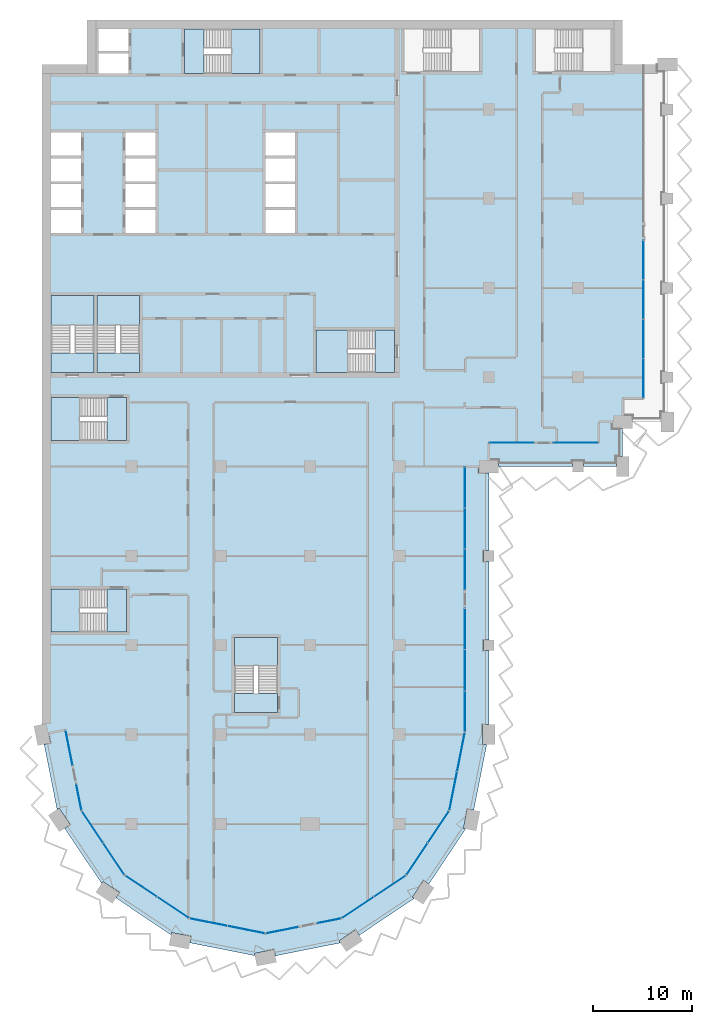
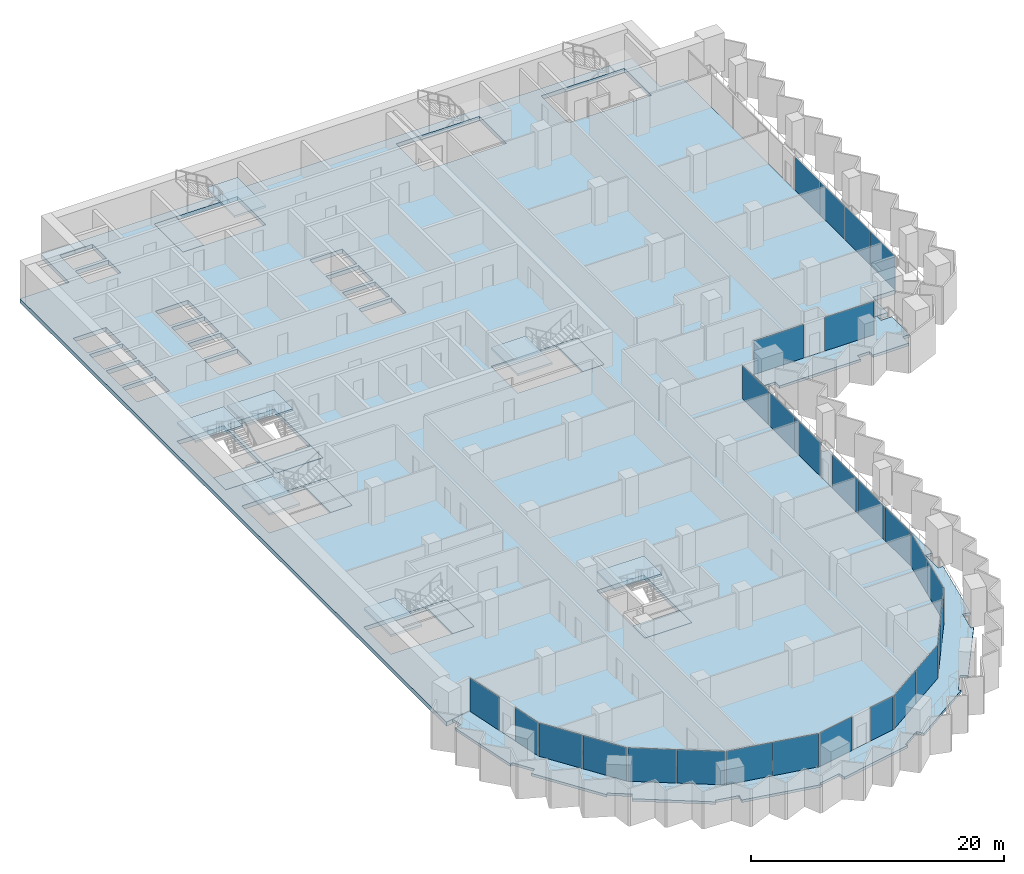
# One storey, part 6 of 22: 28 plates, 17 slabs, 22 elements without a shape of their own.
"""IFC4 building model written with IfcOpenShell, lengths in metres."""

from ifc_helpers import new_model, si_unit, direction, frame, origin, origin_2d, place, context, subcontext, project, spatial, polyline, rectangle, outline, extrude, material, layer, layer_set, type_object, element, aggregate, save


model = new_model("IFC4")

# Units and contexts
model_context = context("Model", 3, precision=1e-05, world=origin(), true_north=direction((0.0, 1.0)))
body_context = subcontext(model_context, "Body", "Model", "MODEL_VIEW")
ifc_project = project(units=[si_unit("LENGTHUNIT", "METRE"), si_unit("AREAUNIT", "SQUARE_METRE"), si_unit("VOLUMEUNIT", "CUBIC_METRE"), si_unit("PLANEANGLEUNIT", "RADIAN"), si_unit("MASSUNIT", "GRAM", prefix="KILO")], contexts=[model_context])

# Site, building, storey
site_placement = place(None, origin())
site = spatial("IfcSite", under=ifc_project, at=site_placement, CompositionType="ELEMENT")
building_placement = place(site_placement, origin())
building = spatial("IfcBuilding", under=site, at=building_placement, Name="Hunhe Ridgeline Campus", CompositionType="ELEMENT")
storey_placement = place(building_placement, frame((0.0, 0.0, 133.800048828125)))
storey = spatial("IfcBuildingStorey", under=building, at=storey_placement, Name="L33", CompositionType="ELEMENT", Elevation=133.800048828125)

# Curtain wall, plate
ifc_material_1 = material(Name="Aluminium 6063", Category="aluminium")
curtain_wall_type_1 = type_object("IfcCurtainWallType", Name="Curtain wall CW-5", PredefinedType="NOTDEFINED", material=ifc_material_1)
curtain_wall_1_placement = place(storey_placement, origin())
curtain_wall_1 = element("IfcCurtainWall", 1, at=curtain_wall_1_placement, inside=storey, type_object=curtain_wall_type_1, Name="Curtain wall 01", PredefinedType="NOTDEFINED")
ifc_material_2 = material(Name="Low-e laminated glass", Category="glass")
ifc_layer_1 = layer(ifc_material_2, 0.028076171875)
ifc_layer_set_1 = layer_set([ifc_layer_1], Name="Curtain wall glass panel 28 low-e laminated")
plate_type = type_object("IfcPlateType", Name="Curtain wall glass panel 28 low-e laminated", PredefinedType="CURTAIN_PANEL", material=ifc_layer_set_1)
plate_1_placement = place(storey_placement, frame((2.7158203125, 25.65380859375, 0.0), z_axis=(0.0, 0.0, 1.0), x_axis=(0.195095326561, -0.980784284924, 0.0)))
plate_1 = element("IfcPlate", 2, at=plate_1_placement, type_object=plate_type, Name="CW-5 panel 1", PredefinedType="CURTAIN_PANEL", context=body_context, shape_type="SweptSolid", body=[
    extrude(rectangle(XDim=3.560791015625, YDim=0.028076171875, at=origin_2d()), origin(), (0.0, 0.0, 1.0), 3.22998046875),
])
aggregate(curtain_wall_1, [plate_1])

curtain_wall_2_placement = place(storey_placement, origin())
curtain_wall_2 = element("IfcCurtainWall", 3, at=curtain_wall_2_placement, inside=storey, type_object=curtain_wall_type_1, Name="Curtain wall 02", PredefinedType="NOTDEFINED")
plate_2_placement = place(storey_placement, frame((3.701171875, 20.699951171875, 0.0), z_axis=(0.0, 0.0, 1.0), x_axis=(0.195095265587, -0.980784297053, 0.0)))
plate_2 = element("IfcPlate", 4, at=plate_2_placement, type_object=plate_type, Name="CW-5 panel 1", PredefinedType="CURTAIN_PANEL", context=body_context, shape_type="SweptSolid", body=[
    extrude(rectangle(XDim=2.660888671875, YDim=0.028076171875, at=origin_2d()), origin(), (0.0, 0.0, 1.0), 3.22998046875),
])
aggregate(curtain_wall_2, [plate_2])

# Curtain wall, plates
curtain_wall_3_placement = place(storey_placement, origin())
curtain_wall_3 = element("IfcCurtainWall", 5, at=curtain_wall_3_placement, inside=storey, type_object=curtain_wall_type_1, Name="Curtain wall 03", PredefinedType="NOTDEFINED")
plate_3_placement = place(storey_placement, frame((5.07080078125, 17.685546875, 0.0), z_axis=(0.0, 0.0, 1.0), x_axis=(0.555570274596, -0.831469584522, 0.0)))
plate_3 = element("IfcPlate", 6, at=plate_3_placement, type_object=plate_type, Name="CW-5 panel 1", PredefinedType="CURTAIN_PANEL", context=body_context, shape_type="SweptSolid", body=[
    extrude(rectangle(XDim=3.806884765625, YDim=0.028076171875, at=origin_2d()), origin(), (0.0, 0.0, 1.0), 3.22998046875),
])
plate_4_placement = place(storey_placement, frame((7.224609375, 14.4619140625, 0.0), z_axis=(0.0, 0.0, 1.0), x_axis=(0.555570274596, -0.831469584522, 0.0)))
plate_4 = element("IfcPlate", 7, at=plate_4_placement, type_object=plate_type, Name="CW-5 panel 2", PredefinedType="CURTAIN_PANEL", context=body_context, shape_type="SweptSolid", body=[
    extrude(rectangle(XDim=3.806884765625, YDim=0.028076171875, at=origin_2d()), origin(), (0.0, 0.0, 1.0), 3.22998046875),
])
aggregate(curtain_wall_3, [plate_3, plate_4])

curtain_wall_4_placement = place(storey_placement, origin())
curtain_wall_4 = element("IfcCurtainWall", 8, at=curtain_wall_4_placement, inside=storey, type_object=curtain_wall_type_1, Name="Curtain wall 04", PredefinedType="NOTDEFINED")
plate_5_placement = place(storey_placement, frame((9.9619140625, 11.724609375, 0.0), z_axis=(0.0, 0.0, 1.0), x_axis=(0.831469584522, -0.555570274596, 0.0)))
plate_5 = element("IfcPlate", 9, at=plate_5_placement, type_object=plate_type, Name="CW-5 panel 1", PredefinedType="CURTAIN_PANEL", context=body_context, shape_type="SweptSolid", body=[
    extrude(rectangle(XDim=3.806884765625, YDim=0.028076171875, at=origin_2d()), origin(), (0.0, 0.0, 1.0), 3.22998046875),
])
plate_6_placement = place(storey_placement, frame((13.185546875, 9.57080078125, 0.0), z_axis=(0.0, 0.0, 1.0), x_axis=(0.831469584522, -0.555570274596, 0.0)))
plate_6 = element("IfcPlate", 10, at=plate_6_placement, type_object=plate_type, Name="CW-5 panel 2", PredefinedType="CURTAIN_PANEL", context=body_context, shape_type="SweptSolid", body=[
    extrude(rectangle(XDim=3.806884765625, YDim=0.028076171875, at=origin_2d()), origin(), (0.0, 0.0, 1.0), 3.22998046875),
])
aggregate(curtain_wall_4, [plate_5, plate_6])

curtain_wall_5_placement = place(storey_placement, origin())
curtain_wall_5 = element("IfcCurtainWall", 11, at=curtain_wall_5_placement, inside=storey, type_object=curtain_wall_type_1, Name="Curtain wall 05", PredefinedType="NOTDEFINED")
plate_7_placement = place(storey_placement, frame((16.761962890625, 8.08935546875, 0.0), z_axis=(0.0, 0.0, 1.0), x_axis=(0.980785275326, -0.195090347539, 0.0)))
plate_7 = element("IfcPlate", 12, at=plate_7_placement, type_object=plate_type, Name="CW-5 panel 1", PredefinedType="CURTAIN_PANEL", context=body_context, shape_type="SweptSolid", body=[
    extrude(rectangle(XDim=3.806884765625, YDim=0.028076171875, at=origin_2d()), origin(), (0.0, 0.0, 1.0), 3.22998046875),
])
plate_8_placement = place(storey_placement, frame((20.564453125, 7.3330078125, 0.0), z_axis=(0.0, 0.0, 1.0), x_axis=(0.980785275326, -0.195090347539, 0.0)))
plate_8 = element("IfcPlate", 13, at=plate_8_placement, type_object=plate_type, Name="CW-5 panel 2", PredefinedType="CURTAIN_PANEL", context=body_context, shape_type="SweptSolid", body=[
    extrude(rectangle(XDim=3.806884765625, YDim=0.028076171875, at=origin_2d()), origin(), (0.0, 0.0, 1.0), 3.22998046875),
])
aggregate(curtain_wall_5, [plate_7, plate_8])

# Curtain wall, plate
curtain_wall_6_placement = place(storey_placement, origin())
curtain_wall_6 = element("IfcCurtainWall", 14, at=curtain_wall_6_placement, inside=storey, type_object=curtain_wall_type_1, Name="Curtain wall 06", PredefinedType="NOTDEFINED")
plate_9_placement = place(storey_placement, frame((24.19775390625, 7.28564453125, 0.0), z_axis=(0.0, 0.0, 1.0), x_axis=(0.980785270791, 0.19509037034, 0.0)))
plate_9 = element("IfcPlate", 15, at=plate_9_placement, type_object=plate_type, Name="CW-5 panel 1", PredefinedType="CURTAIN_PANEL", context=body_context, shape_type="SweptSolid", body=[
    extrude(rectangle(XDim=3.322021484375, YDim=0.028076171875, at=origin_2d()), origin(), (0.0, 0.0, 1.0), 3.22998046875),
])
aggregate(curtain_wall_6, [plate_9])

curtain_wall_7_placement = place(storey_placement, origin())
curtain_wall_7 = element("IfcCurtainWall", 16, at=curtain_wall_7_placement, inside=storey, type_object=curtain_wall_type_1, Name="Curtain wall 07", PredefinedType="NOTDEFINED")
plate_10_placement = place(storey_placement, frame((28.917236328125, 8.224609375, 0.0), z_axis=(0.0, 0.0, 1.0), x_axis=(0.980785242091, 0.195090514627, 0.0)))
plate_10 = element("IfcPlate", 17, at=plate_10_placement, type_object=plate_type, Name="CW-5 panel 1", PredefinedType="CURTAIN_PANEL", context=body_context, shape_type="SweptSolid", body=[
    extrude(rectangle(XDim=2.421875, YDim=0.028076171875, at=origin_2d()), origin(), (0.0, 0.0, 1.0), 3.22998046875),
])
aggregate(curtain_wall_7, [plate_10])

# Curtain wall, plates
curtain_wall_8_placement = place(storey_placement, origin())
curtain_wall_8 = element("IfcCurtainWall", 18, at=curtain_wall_8_placement, inside=storey, type_object=curtain_wall_type_1, Name="Curtain wall 08", PredefinedType="NOTDEFINED")
plate_11_placement = place(storey_placement, frame((31.814453125, 9.57080078125, 0.0), z_axis=(0.0, 0.0, 1.0), x_axis=(0.831469584522, 0.555570274596, 0.0)))
plate_11 = element("IfcPlate", 19, at=plate_11_placement, type_object=plate_type, Name="CW-5 panel 1", PredefinedType="CURTAIN_PANEL", context=body_context, shape_type="SweptSolid", body=[
    extrude(rectangle(XDim=3.806884765625, YDim=0.028076171875, at=origin_2d()), origin(), (0.0, 0.0, 1.0), 3.22998046875),
])
plate_12_placement = place(storey_placement, frame((35.0380859375, 11.724609375, 0.0), z_axis=(0.0, 0.0, 1.0), x_axis=(0.831469584522, 0.555570274596, 0.0)))
plate_12 = element("IfcPlate", 20, at=plate_12_placement, type_object=plate_type, Name="CW-5 panel 2", PredefinedType="CURTAIN_PANEL", context=body_context, shape_type="SweptSolid", body=[
    extrude(rectangle(XDim=3.806884765625, YDim=0.028076171875, at=origin_2d()), origin(), (0.0, 0.0, 1.0), 3.22998046875),
])
aggregate(curtain_wall_8, [plate_11, plate_12])

curtain_wall_9_placement = place(storey_placement, origin())
curtain_wall_9 = element("IfcCurtainWall", 21, at=curtain_wall_9_placement, inside=storey, type_object=curtain_wall_type_1, Name="Curtain wall 09", PredefinedType="NOTDEFINED")
plate_13_placement = place(storey_placement, frame((37.775390625, 14.4619140625, 0.0), z_axis=(0.0, 0.0, 1.0), x_axis=(0.555570274596, 0.831469584522, 0.0)))
plate_13 = element("IfcPlate", 22, at=plate_13_placement, type_object=plate_type, Name="CW-5 panel 1", PredefinedType="CURTAIN_PANEL", context=body_context, shape_type="SweptSolid", body=[
    extrude(rectangle(XDim=3.806884765625, YDim=0.028076171875, at=origin_2d()), origin(), (0.0, 0.0, 1.0), 3.22998046875),
])
plate_14_placement = place(storey_placement, frame((39.92919921875, 17.685546875, 0.0), z_axis=(0.0, 0.0, 1.0), x_axis=(0.555570274596, 0.831469584522, 0.0)))
plate_14 = element("IfcPlate", 23, at=plate_14_placement, type_object=plate_type, Name="CW-5 panel 2", PredefinedType="CURTAIN_PANEL", context=body_context, shape_type="SweptSolid", body=[
    extrude(rectangle(XDim=3.806884765625, YDim=0.028076171875, at=origin_2d()), origin(), (0.0, 0.0, 1.0), 3.22998046875),
])
aggregate(curtain_wall_9, [plate_13, plate_14])

curtain_wall_10_placement = place(storey_placement, origin())
curtain_wall_10 = element("IfcCurtainWall", 24, at=curtain_wall_10_placement, inside=storey, type_object=curtain_wall_type_1, Name="Curtain wall 10", PredefinedType="NOTDEFINED")
plate_15_placement = place(storey_placement, frame((41.42236328125, 21.321044921875, 0.0), z_axis=(0.0, 0.0, 1.0), x_axis=(0.195090299215, 0.980785284939, 0.0)))
plate_15 = element("IfcPlate", 25, at=plate_15_placement, type_object=plate_type, Name="CW-5 panel 1", PredefinedType="CURTAIN_PANEL", context=body_context, shape_type="SweptSolid", body=[
    extrude(rectangle(XDim=3.927490234375, YDim=0.028076171875, at=origin_2d()), origin(), (0.0, 0.0, 1.0), 3.22998046875),
])
plate_16_placement = place(storey_placement, frame((42.2021484375, 25.24169921875, 0.0), z_axis=(0.0, 0.0, 1.0), x_axis=(0.195090299215, 0.980785284939, 0.0)))
plate_16 = element("IfcPlate", 26, at=plate_16_placement, type_object=plate_type, Name="CW-5 panel 2", PredefinedType="CURTAIN_PANEL", context=body_context, shape_type="SweptSolid", body=[
    extrude(rectangle(XDim=3.927490234375, YDim=0.028076171875, at=origin_2d()), origin(), (0.0, 0.0, 1.0), 3.22998046875),
])
aggregate(curtain_wall_10, [plate_15, plate_16])

curtain_wall_type_2 = type_object("IfcCurtainWallType", Name="Curtain wall CW-1", PredefinedType="NOTDEFINED", material=ifc_material_1)
curtain_wall_11_placement = place(storey_placement, origin())
curtain_wall_11 = element("IfcCurtainWall", 27, at=curtain_wall_11_placement, inside=storey, type_object=curtain_wall_type_2, Name="Curtain wall 11", PredefinedType="NOTDEFINED")
plate_17_placement = place(storey_placement, frame((42.59912109375, 29.331787109375, 0.0), z_axis=(0.0, 0.0, 1.0), x_axis=(4.406345e-06, 0.99999999999, 0.0)))
plate_17 = element("IfcPlate", 28, at=plate_17_placement, type_object=plate_type, Name="CW-1 panel 1", PredefinedType="CURTAIN_PANEL", context=body_context, shape_type="SweptSolid", body=[
    extrude(rectangle(XDim=4.070556640625, YDim=0.028076171875, at=origin_2d()), origin(), (0.0, 0.0, 1.0), 3.239990234375),
])
plate_18_placement = place(storey_placement, frame((42.59912109375, 33.4775390625, 0.0), z_axis=(0.0, 0.0, 1.0), x_axis=(4.406345e-06, 0.99999999999, 0.0)))
plate_18 = element("IfcPlate", 29, at=plate_18_placement, type_object=plate_type, Name="CW-1 panel 2", PredefinedType="CURTAIN_PANEL", context=body_context, shape_type="SweptSolid", body=[
    extrude(rectangle(XDim=4.1005859375, YDim=0.028076171875, at=origin_2d()), origin(), (0.0, 0.0, 1.0), 3.239990234375),
])
plate_19_placement = place(storey_placement, frame((42.59912109375, 37.623046875, 0.0), z_axis=(0.0, 0.0, 1.0), x_axis=(4.406345e-06, 0.99999999999, 0.0)))
plate_19 = element("IfcPlate", 30, at=plate_19_placement, type_object=plate_type, Name="CW-1 panel 3", PredefinedType="CURTAIN_PANEL", context=body_context, shape_type="SweptSolid", body=[
    extrude(rectangle(XDim=4.070556640625, YDim=0.028076171875, at=origin_2d()), origin(), (0.0, 0.0, 1.0), 3.239990234375),
])
aggregate(curtain_wall_11, [plate_17, plate_18, plate_19])

curtain_wall_12_placement = place(storey_placement, origin())
curtain_wall_12 = element("IfcCurtainWall", 31, at=curtain_wall_12_placement, inside=storey, type_object=curtain_wall_type_2, Name="Curtain wall 12", PredefinedType="NOTDEFINED")
plate_20_placement = place(storey_placement, frame((42.59912109375, 43.61376953125, 0.0), z_axis=(0.0, 0.0, 1.0), x_axis=(4.406345e-06, 0.99999999999, 0.0)))
plate_20 = element("IfcPlate", 32, at=plate_20_placement, type_object=plate_type, Name="CW-1 panel 1", PredefinedType="CURTAIN_PANEL", context=body_context, shape_type="SweptSolid", body=[
    extrude(rectangle(XDim=4.070556640625, YDim=0.028076171875, at=origin_2d()), origin(), (0.0, 0.0, 1.0), 3.239990234375),
])
plate_21_placement = place(storey_placement, frame((42.59912109375, 47.759521484375, 0.0), z_axis=(0.0, 0.0, 1.0), x_axis=(4.406345e-06, 0.99999999999, 0.0)))
plate_21 = element("IfcPlate", 33, at=plate_21_placement, type_object=plate_type, Name="CW-1 panel 2", PredefinedType="CURTAIN_PANEL", context=body_context, shape_type="SweptSolid", body=[
    extrude(rectangle(XDim=4.1005859375, YDim=0.028076171875, at=origin_2d()), origin(), (0.0, 0.0, 1.0), 3.239990234375),
])
plate_22_placement = place(storey_placement, frame((42.59912109375, 51.905029296875, 0.0), z_axis=(0.0, 0.0, 1.0), x_axis=(4.406345e-06, 0.99999999999, 0.0)))
plate_22 = element("IfcPlate", 34, at=plate_22_placement, type_object=plate_type, Name="CW-1 panel 3", PredefinedType="CURTAIN_PANEL", context=body_context, shape_type="SweptSolid", body=[
    extrude(rectangle(XDim=4.070556640625, YDim=0.028076171875, at=origin_2d()), origin(), (0.0, 0.0, 1.0), 3.239990234375),
])
aggregate(curtain_wall_12, [plate_20, plate_21, plate_22])

# Curtain wall, plate
curtain_wall_13_placement = place(storey_placement, origin())
curtain_wall_13 = element("IfcCurtainWall", 35, at=curtain_wall_13_placement, inside=storey, type_object=curtain_wall_type_2, Name="Curtain wall 13", PredefinedType="NOTDEFINED")
plate_23_placement = place(storey_placement, frame((47.32470703125, 56.40087890625, 0.0), z_axis=(0.0, 0.0, 1.0), x_axis=(0.999999999999, 1.72058e-06, 0.0)))
plate_23 = element("IfcPlate", 36, at=plate_23_placement, type_object=plate_type, Name="CW-1 panel 1", PredefinedType="CURTAIN_PANEL", context=body_context, shape_type="SweptSolid", body=[
    extrude(rectangle(XDim=4.529541015625, YDim=0.028076171875, at=origin_2d()), origin(), (0.0, 0.0, 1.0), 3.239990234375),
])
aggregate(curtain_wall_13, [plate_23])

curtain_wall_14_placement = place(storey_placement, origin())
curtain_wall_14 = element("IfcCurtainWall", 37, at=curtain_wall_14_placement, inside=storey, type_object=curtain_wall_type_2, Name="Curtain wall 14", PredefinedType="NOTDEFINED")
plate_24_placement = place(storey_placement, frame((53.774169921875, 56.40087890625, 0.0), z_axis=(0.0, 0.0, 1.0), x_axis=(0.999999999999, 1.72058e-06, 0.0)))
plate_24 = element("IfcPlate", 38, at=plate_24_placement, type_object=plate_type, Name="CW-1 panel 1", PredefinedType="CURTAIN_PANEL", context=body_context, shape_type="SweptSolid", body=[
    extrude(rectangle(XDim=4.529541015625, YDim=0.028076171875, at=origin_2d()), origin(), (0.0, 0.0, 1.0), 3.239990234375),
])
aggregate(curtain_wall_14, [plate_24])

# Curtain wall, plates
curtain_wall_15_placement = place(storey_placement, origin())
curtain_wall_15 = element("IfcCurtainWall", 39, at=curtain_wall_15_placement, inside=storey, type_object=curtain_wall_type_2, Name="Curtain wall 15", PredefinedType="NOTDEFINED")
plate_25_placement = place(storey_placement, frame((60.59912109375, 62.9033203125, 0.0), z_axis=(0.0, 0.0, 1.0), x_axis=(0.0, 1.0, 0.0)))
plate_25 = element("IfcPlate", 40, at=plate_25_placement, type_object=plate_type, Name="CW-1 panel 1", PredefinedType="CURTAIN_PANEL", context=body_context, shape_type="SweptSolid", body=[
    extrude(rectangle(XDim=3.884765625, YDim=0.028076171875, at=origin_2d()), origin(), (0.0, 0.0, 1.0), 3.239990234375),
])
plate_26_placement = place(storey_placement, frame((60.59912109375, 66.86328125, 0.0), z_axis=(0.0, 0.0, 1.0), x_axis=(0.0, 1.0, 0.0)))
plate_26 = element("IfcPlate", 41, at=plate_26_placement, type_object=plate_type, Name="CW-1 panel 2", PredefinedType="CURTAIN_PANEL", context=body_context, shape_type="SweptSolid", body=[
    extrude(rectangle(XDim=3.914794921875, YDim=0.028076171875, at=origin_2d()), origin(), (0.0, 0.0, 1.0), 3.239990234375),
])
plate_27_placement = place(storey_placement, frame((60.59912109375, 70.838134765625, 0.0), z_axis=(0.0, 0.0, 1.0), x_axis=(0.0, 1.0, 0.0)))
plate_27 = element("IfcPlate", 42, at=plate_27_placement, type_object=plate_type, Name="CW-1 panel 3", PredefinedType="CURTAIN_PANEL", context=body_context, shape_type="SweptSolid", body=[
    extrude(rectangle(XDim=3.914794921875, YDim=0.028076171875, at=origin_2d()), origin(), (0.0, 0.0, 1.0), 3.239990234375),
])
plate_28_placement = place(storey_placement, frame((60.59912109375, 74.798095703125, 0.0), z_axis=(0.0, 0.0, 1.0), x_axis=(0.0, 1.0, 0.0)))
plate_28 = element("IfcPlate", 43, at=plate_28_placement, type_object=plate_type, Name="CW-1 panel 4", PredefinedType="CURTAIN_PANEL", context=body_context, shape_type="SweptSolid", body=[
    extrude(rectangle(XDim=3.884765625, YDim=0.028076171875, at=origin_2d()), origin(), (0.0, 0.0, 1.0), 3.239990234375),
])
aggregate(curtain_wall_15, [plate_25, plate_26, plate_27, plate_28])

# Slabs
ifc_material_3 = material(Name="Concrete C40", Category="concrete")
ifc_layer_2 = layer(ifc_material_3, 0.39990234375)
ifc_layer_set_2 = layer_set([ifc_layer_2], Name="Floor slab 400 Concrete C40")
slab_type_1 = type_object("IfcSlabType", Name="Floor slab 400 Concrete C40", PredefinedType="FLOOR", material=ifc_layer_set_2)
slab_1_placement = place(storey_placement, frame((0.0, 0.0, -0.400146484375)))
element("IfcSlab", 44, at=slab_1_placement, inside=storey, type_object=slab_type_1, Name="Floor slab L33 1", PredefinedType="FLOOR", context=body_context, shape_type="SweptSolid", body=[
    extrude(outline(polyline([(2.354736328125, 27.46875), (3.974365234375, 19.326416015625), (8.321044921875, 12.821044921875), (14.826416015625, 8.474365234375), (22.5, 6.947998046875), (30.173583984375, 8.474365234375), (36.678955078125, 12.821044921875), (41.025634765625, 19.326416015625), (42.59912109375, 27.236572265625), (42.59912109375, 54.00048828125), (44.9990234375, 54.0009765625), (44.999755859375, 56.40087890625), (56.09912109375, 56.40087890625), (56.099365234375, 58.500732421875), (58.4990234375, 58.5009765625), (58.499267578125, 60.900634765625), (60.59912109375, 60.90087890625), (60.59912109375, 94.5), (58.5, 94.5), (58.5, 99.0), (4.5, 99.0), (4.5, 94.5), (0.0, 94.5), (0.0, 27.0009765625), (2.354736328125, 27.46875)]), holes=[polyline([(49.699951171875, 93.800048828125), (57.300048828125, 93.800048828125), (57.300048828125, 98.10009765625), (49.699951171875, 98.10009765625), (49.699951171875, 93.800048828125)]), polyline([(44.050048828125, 93.800048828125), (44.050048828125, 98.10009765625), (36.449951171875, 98.10009765625), (36.449951171875, 93.800048828125), (44.050048828125, 93.800048828125)]), polyline([(35.5, 67.75), (27.60009765625, 67.75), (27.60009765625, 63.5), (35.5, 63.5), (35.5, 67.75)]), polyline([(25.5, 82.75), (25.5, 85.050048828125), (22.5, 85.050048828125), (22.5, 82.75), (25.5, 82.75)]), polyline([(25.5, 82.449951171875), (22.5, 82.449951171875), (22.5, 80.14990234375), (25.5, 80.14990234375), (25.5, 82.449951171875)]), polyline([(22.5, 85.35009765625), (25.5, 85.35009765625), (25.5, 87.64990234375), (22.5, 87.64990234375), (22.5, 85.35009765625)]), polyline([(22.5, 79.85009765625), (22.5, 77.550048828125), (25.5, 77.550048828125), (25.5, 79.85009765625), (22.5, 79.85009765625)]), polyline([(19.39990234375, 29.199951171875), (23.699951171875, 29.199951171875), (23.699951171875, 36.800048828125), (19.39990234375, 36.800048828125), (19.39990234375, 29.199951171875)]), polyline([(21.949951171875, 93.60009765625), (21.949951171875, 98.10009765625), (14.35009765625, 98.10009765625), (14.35009765625, 93.60009765625), (21.949951171875, 93.60009765625)]), polyline([(8.39990234375, 79.85009765625), (8.39990234375, 77.550048828125), (11.39990234375, 77.550048828125), (11.39990234375, 79.85009765625), (8.39990234375, 79.85009765625)]), polyline([(8.39990234375, 85.35009765625), (11.39990234375, 85.35009765625), (11.39990234375, 87.64990234375), (8.39990234375, 87.64990234375), (8.39990234375, 85.35009765625)]), polyline([(11.39990234375, 82.449951171875), (8.39990234375, 82.449951171875), (8.39990234375, 80.14990234375), (11.39990234375, 80.14990234375), (11.39990234375, 82.449951171875)]), polyline([(11.39990234375, 82.75), (11.39990234375, 85.050048828125), (8.39990234375, 85.050048828125), (8.39990234375, 82.75), (11.39990234375, 82.75)]), polyline([(5.5, 71.25), (5.5, 63.5), (9.800048828125, 63.5), (9.800048828125, 71.25), (5.5, 71.25)]), polyline([(8.699951171875, 98.10009765625), (5.699951171875, 98.10009765625), (5.699951171875, 95.89990234375), (8.699951171875, 95.89990234375), (8.699951171875, 98.10009765625)]), polyline([(5.699951171875, 95.60009765625), (5.699951171875, 93.60009765625), (8.699951171875, 93.60009765625), (8.699951171875, 95.60009765625), (5.699951171875, 95.60009765625)]), polyline([(0.89990234375, 60.949951171875), (0.89990234375, 56.64990234375), (8.5, 56.64990234375), (8.5, 60.949951171875), (0.89990234375, 60.949951171875)]), polyline([(0.89990234375, 37.35009765625), (8.5, 37.35009765625), (8.5, 41.64990234375), (0.89990234375, 41.64990234375), (0.89990234375, 37.35009765625)]), polyline([(0.89990234375, 63.5), (5.199951171875, 63.5), (5.199951171875, 71.25), (0.89990234375, 71.25), (0.89990234375, 63.5)]), polyline([(3.89990234375, 82.75), (3.89990234375, 85.050048828125), (0.89990234375, 85.050048828125), (0.89990234375, 82.75), (3.89990234375, 82.75)]), polyline([(3.89990234375, 82.449951171875), (0.89990234375, 82.449951171875), (0.89990234375, 80.14990234375), (3.89990234375, 80.14990234375), (3.89990234375, 82.449951171875)]), polyline([(0.89990234375, 85.35009765625), (3.89990234375, 85.35009765625), (3.89990234375, 87.64990234375), (0.89990234375, 87.64990234375), (0.89990234375, 85.35009765625)]), polyline([(0.89990234375, 79.85009765625), (0.89990234375, 77.550048828125), (3.89990234375, 77.550048828125), (3.89990234375, 79.85009765625), (0.89990234375, 79.85009765625)])]), origin(), (0.0, 0.0, 1.0), 0.400146484375),
])
ifc_layer_3 = layer(ifc_material_3, 0.25)
ifc_layer_set_3 = layer_set([ifc_layer_3], Name="Loggia slab 250 Concrete C40")
slab_type_2 = type_object("IfcSlabType", Name="Loggia slab 250 Concrete C40", PredefinedType="FLOOR", material=ifc_layer_set_3)
slab_2_placement = place(storey_placement, frame((0.0, 0.0, -0.25)))
element("IfcSlab", 45, at=slab_2_placement, inside=storey, type_object=slab_type_2, Name="Loggia slab 1", PredefinedType="FLOOR", context=body_context, shape_type="SweptSolid", body=[
    extrude(outline(polyline([(30.173828125, 8.473388671875), (22.5, 6.947021484375), (14.826171875, 8.473388671875), (8.3203125, 12.8203125), (3.973388671875, 19.326171875), (2.35400390625, 27.46826171875), (0.637451171875, 27.126708984375), (0.83251953125, 26.14599609375), (0.195068359375, 26.019287109375), (1.50146484375, 19.451171875), (1.697509765625, 19.582275390625), (2.808837890625, 17.919189453125), (2.268310546875, 17.55810546875), (5.98876953125, 11.989990234375), (6.11962890625, 12.18603515625), (7.78271484375, 11.074951171875), (7.421630859375, 10.534423828125), (12.98974609375, 6.81396484375), (13.03564453125, 7.04541015625), (14.997314453125, 6.655029296875), (14.870361328125, 6.017578125), (21.4384765625, 4.711181640625), (21.392333984375, 4.9423828125), (23.35400390625, 5.33251953125), (23.480712890625, 4.695068359375), (30.048828125, 6.00146484375), (29.917724609375, 6.197509765625), (31.580810546875, 7.308837890625), (31.94189453125, 6.768310546875), (37.510009765625, 10.48876953125), (37.31396484375, 10.61962890625), (38.425048828125, 12.28271484375), (38.965576171875, 11.921630859375), (42.68603515625, 17.48974609375), (42.45458984375, 17.53564453125), (42.844970703125, 19.497314453125), (43.482421875, 19.370361328125), (44.801025390625, 26.0), (44.35009765625, 26.0), (44.35009765625, 28.0), (45.0, 28.0), (45.0, 35.449951171875), (44.449951171875, 35.449951171875), (44.449951171875, 36.550048828125), (45.0, 36.550048828125), (45.0, 44.449951171875), (44.449951171875, 44.449951171875), (44.449951171875, 45.550048828125), (45.0, 45.550048828125), (45.0, 53.35009765625), (44.0, 53.35009765625), (44.0, 54.0), (42.60009765625, 54.0), (42.60009765625, 27.236328125), (41.026611328125, 19.326171875), (36.6796875, 12.8203125), (30.173828125, 8.473388671875)])), origin(), (0.0, 0.0, 1.0), 0.25),
])
slab_3_placement = place(storey_placement, frame((0.0, 0.0, -0.25)))
element("IfcSlab", 46, at=slab_3_placement, inside=storey, type_object=slab_type_2, Name="Loggia slab 2", PredefinedType="FLOOR", context=body_context, shape_type="SweptSolid", body=[
    extrude(outline(polyline([(45.0, 54.64990234375), (46.0, 54.64990234375), (46.0, 54.0), (53.449951171875, 54.0), (53.449951171875, 54.550048828125), (54.550048828125, 54.550048828125), (54.550048828125, 54.0), (57.85009765625, 54.0), (57.85009765625, 55.0), (58.5, 55.0), (58.5, 57.85009765625), (57.5, 57.85009765625), (57.5, 58.5), (56.10009765625, 58.5), (56.10009765625, 56.39990234375), (45.0, 56.39990234375), (45.0, 54.64990234375)])), origin(), (0.0, 0.0, 1.0), 0.25),
])

# Stair, slab
stair_type = type_object("IfcStairType", Name="Reinforced concrete dog-leg stair 1950 Concrete C40", PredefinedType="HALF_TURN_STAIR", material=ifc_material_3)
stair_1_placement = place(storey_placement, origin())
stair_1 = element("IfcStair", 47, at=stair_1_placement, inside=storey, type_object=stair_type, Name="L33 S1", PredefinedType="HALF_TURN_STAIR")
ifc_layer_4 = layer(ifc_material_3, 0.199951171875)
ifc_layer_set_4 = layer_set([ifc_layer_4], Name="Reinforced concrete stair landing 200 Concrete C40")
slab_type_3 = type_object("IfcSlabType", Name="Reinforced concrete stair landing 200 Concrete C40", PredefinedType="LANDING", material=ifc_layer_set_4)
slab_4_placement = place(storey_placement, frame((0.0, 0.0, 1.64990234375)))
slab_4 = element("IfcSlab", 48, at=slab_4_placement, type_object=slab_type_3, Name="ST1 landing 1", PredefinedType="LANDING", context=body_context, shape_type="SweptSolid", body=[
    extrude(outline(polyline([(19.10009765625, 93.60009765625), (21.949951171875, 93.60009765625), (21.949951171875, 98.10009765625), (19.10009765625, 98.10009765625), (19.10009765625, 93.60009765625)])), origin(), (0.0, 0.0, 1.0), 0.199951171875),
])
aggregate(stair_1, [slab_4])

# Slab
slab_5_placement = place(storey_placement, frame((0.0, 0.0, -0.199951171875)))
element("IfcSlab", 49, at=slab_5_placement, inside=storey, type_object=slab_type_3, Name="L33 stair S1 floor landing", PredefinedType="LANDING", context=body_context, shape_type="SweptSolid", body=[
    extrude(outline(polyline([(14.35009765625, 93.60009765625), (16.300048828125, 93.60009765625), (16.300048828125, 98.10009765625), (14.35009765625, 98.10009765625), (14.35009765625, 93.60009765625)])), origin(), (0.0, 0.0, 1.0), 0.199951171875),
])

# Stair, slab
stair_2_placement = place(storey_placement, origin())
stair_2 = element("IfcStair", 50, at=stair_2_placement, inside=storey, type_object=stair_type, Name="L33 S2", PredefinedType="HALF_TURN_STAIR")
slab_6_placement = place(storey_placement, frame((0.0, 0.0, 1.64990234375)))
slab_6 = element("IfcSlab", 51, at=slab_6_placement, type_object=slab_type_3, Name="ST2 landing 1", PredefinedType="LANDING", context=body_context, shape_type="SweptSolid", body=[
    extrude(outline(polyline([(30.75, 67.75), (27.60009765625, 67.75), (27.60009765625, 63.5), (30.75, 63.5), (30.75, 67.75)])), origin(), (0.0, 0.0, 1.0), 0.199951171875),
])
aggregate(stair_2, [slab_6])

# Slab
slab_7_placement = place(storey_placement, frame((0.0, 0.0, -0.199951171875)))
element("IfcSlab", 52, at=slab_7_placement, inside=storey, type_object=slab_type_3, Name="L33 stair S2 floor landing", PredefinedType="LANDING", context=body_context, shape_type="SweptSolid", body=[
    extrude(outline(polyline([(35.5, 67.75), (33.550048828125, 67.75), (33.550048828125, 63.5), (35.5, 63.5), (35.5, 67.75)])), origin(), (0.0, 0.0, 1.0), 0.199951171875),
])

# Stair, slab
stair_3_placement = place(storey_placement, origin())
stair_3 = element("IfcStair", 53, at=stair_3_placement, inside=storey, type_object=stair_type, Name="L33 S3", PredefinedType="HALF_TURN_STAIR")
slab_8_placement = place(storey_placement, frame((0.0, 0.0, 1.64990234375)))
slab_8 = element("IfcSlab", 54, at=slab_8_placement, type_object=slab_type_3, Name="ST3 landing 1", PredefinedType="LANDING", context=body_context, shape_type="SweptSolid", body=[
    extrude(outline(polyline([(5.199951171875, 68.25), (5.199951171875, 71.25), (0.89990234375, 71.25), (0.89990234375, 68.25), (5.199951171875, 68.25)])), origin(), (0.0, 0.0, 1.0), 0.199951171875),
])
aggregate(stair_3, [slab_8])

# Slab
slab_9_placement = place(storey_placement, frame((0.0, 0.0, -0.199951171875)))
element("IfcSlab", 55, at=slab_9_placement, inside=storey, type_object=slab_type_3, Name="L33 stair S3 floor landing", PredefinedType="LANDING", context=body_context, shape_type="SweptSolid", body=[
    extrude(outline(polyline([(5.199951171875, 63.5), (5.199951171875, 65.449951171875), (0.89990234375, 65.449951171875), (0.89990234375, 63.5), (5.199951171875, 63.5)])), origin(), (0.0, 0.0, 1.0), 0.199951171875),
])

# Stair, slab
stair_4_placement = place(storey_placement, origin())
stair_4 = element("IfcStair", 56, at=stair_4_placement, inside=storey, type_object=stair_type, Name="L33 S4", PredefinedType="HALF_TURN_STAIR")
slab_10_placement = place(storey_placement, frame((0.0, 0.0, 1.64990234375)))
slab_10 = element("IfcSlab", 57, at=slab_10_placement, type_object=slab_type_3, Name="ST4 landing 1", PredefinedType="LANDING", context=body_context, shape_type="SweptSolid", body=[
    extrude(outline(polyline([(9.800048828125, 68.25), (9.800048828125, 71.25), (5.5, 71.25), (5.5, 68.25), (9.800048828125, 68.25)])), origin(), (0.0, 0.0, 1.0), 0.199951171875),
])
aggregate(stair_4, [slab_10])

# Slab
slab_11_placement = place(storey_placement, frame((0.0, 0.0, -0.199951171875)))
element("IfcSlab", 58, at=slab_11_placement, inside=storey, type_object=slab_type_3, Name="L33 stair S4 floor landing", PredefinedType="LANDING", context=body_context, shape_type="SweptSolid", body=[
    extrude(outline(polyline([(9.800048828125, 63.5), (9.800048828125, 65.449951171875), (5.5, 65.449951171875), (5.5, 63.5), (9.800048828125, 63.5)])), origin(), (0.0, 0.0, 1.0), 0.199951171875),
])

# Stair, slab
stair_5_placement = place(storey_placement, origin())
stair_5 = element("IfcStair", 59, at=stair_5_placement, inside=storey, type_object=stair_type, Name="L33 W3", PredefinedType="HALF_TURN_STAIR")
slab_12_placement = place(storey_placement, frame((0.0, 0.0, 1.64990234375)))
slab_12 = element("IfcSlab", 60, at=slab_12_placement, type_object=slab_type_3, Name="ST9 landing 1", PredefinedType="LANDING", context=body_context, shape_type="SweptSolid", body=[
    extrude(outline(polyline([(23.699951171875, 33.949951171875), (23.699951171875, 36.800048828125), (19.39990234375, 36.800048828125), (19.39990234375, 33.949951171875), (23.699951171875, 33.949951171875)])), origin(), (0.0, 0.0, 1.0), 0.199951171875),
])
aggregate(stair_5, [slab_12])

# Slab
slab_13_placement = place(storey_placement, frame((0.0, 0.0, -0.199951171875)))
element("IfcSlab", 61, at=slab_13_placement, inside=storey, type_object=slab_type_3, Name="L33 stair W3 floor landing", PredefinedType="LANDING", context=body_context, shape_type="SweptSolid", body=[
    extrude(outline(polyline([(23.699951171875, 29.199951171875), (23.699951171875, 31.14990234375), (19.39990234375, 31.14990234375), (19.39990234375, 29.199951171875), (23.699951171875, 29.199951171875)])), origin(), (0.0, 0.0, 1.0), 0.199951171875),
])

# Stair, slab
stair_6_placement = place(storey_placement, origin())
stair_6 = element("IfcStair", 62, at=stair_6_placement, inside=storey, type_object=stair_type, Name="L33 W1", PredefinedType="HALF_TURN_STAIR")
slab_14_placement = place(storey_placement, frame((0.0, 0.0, 1.64990234375)))
slab_14 = element("IfcSlab", 63, at=slab_14_placement, type_object=slab_type_3, Name="ST11 landing 1", PredefinedType="LANDING", context=body_context, shape_type="SweptSolid", body=[
    extrude(outline(polyline([(3.75, 41.64990234375), (0.89990234375, 41.64990234375), (0.89990234375, 37.35009765625), (3.75, 37.35009765625), (3.75, 41.64990234375)])), origin(), (0.0, 0.0, 1.0), 0.199951171875),
])
aggregate(stair_6, [slab_14])

# Slab
slab_15_placement = place(storey_placement, frame((0.0, 0.0, -0.199951171875)))
element("IfcSlab", 64, at=slab_15_placement, inside=storey, type_object=slab_type_3, Name="L33 stair W1 floor landing", PredefinedType="LANDING", context=body_context, shape_type="SweptSolid", body=[
    extrude(outline(polyline([(8.5, 41.64990234375), (6.550048828125, 41.64990234375), (6.550048828125, 37.35009765625), (8.5, 37.35009765625), (8.5, 41.64990234375)])), origin(), (0.0, 0.0, 1.0), 0.199951171875),
])

# Stair, slab
stair_7_placement = place(storey_placement, origin())
stair_7 = element("IfcStair", 65, at=stair_7_placement, inside=storey, type_object=stair_type, Name="L33 W2", PredefinedType="HALF_TURN_STAIR")
slab_16_placement = place(storey_placement, frame((0.0, 0.0, 1.64990234375)))
slab_16 = element("IfcSlab", 66, at=slab_16_placement, type_object=slab_type_3, Name="ST12 landing 1", PredefinedType="LANDING", context=body_context, shape_type="SweptSolid", body=[
    extrude(outline(polyline([(3.75, 60.949951171875), (0.89990234375, 60.949951171875), (0.89990234375, 56.64990234375), (3.75, 56.64990234375), (3.75, 60.949951171875)])), origin(), (0.0, 0.0, 1.0), 0.199951171875),
])
aggregate(stair_7, [slab_16])

# Slab
slab_17_placement = place(storey_placement, frame((0.0, 0.0, -0.199951171875)))
element("IfcSlab", 67, at=slab_17_placement, inside=storey, type_object=slab_type_3, Name="L33 stair W2 floor landing", PredefinedType="LANDING", context=body_context, shape_type="SweptSolid", body=[
    extrude(outline(polyline([(8.5, 60.949951171875), (6.550048828125, 60.949951171875), (6.550048828125, 56.64990234375), (8.5, 56.64990234375), (8.5, 60.949951171875)])), origin(), (0.0, 0.0, 1.0), 0.199951171875),
])

save(model, "model.ifc")
